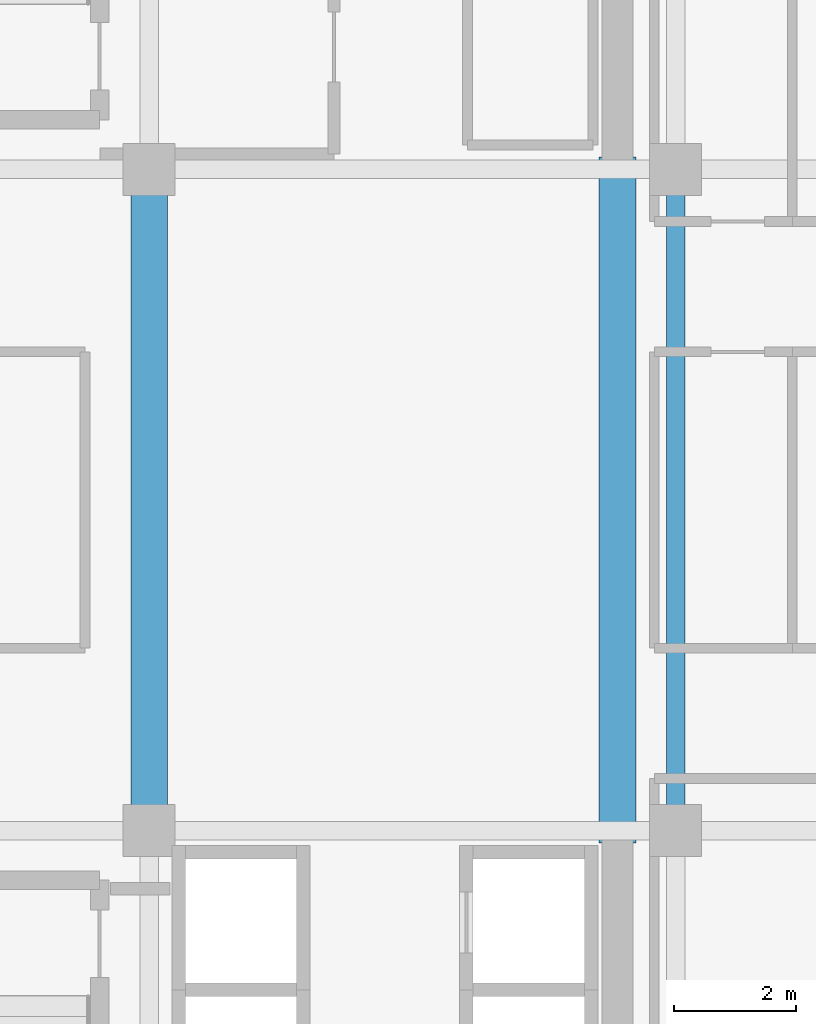
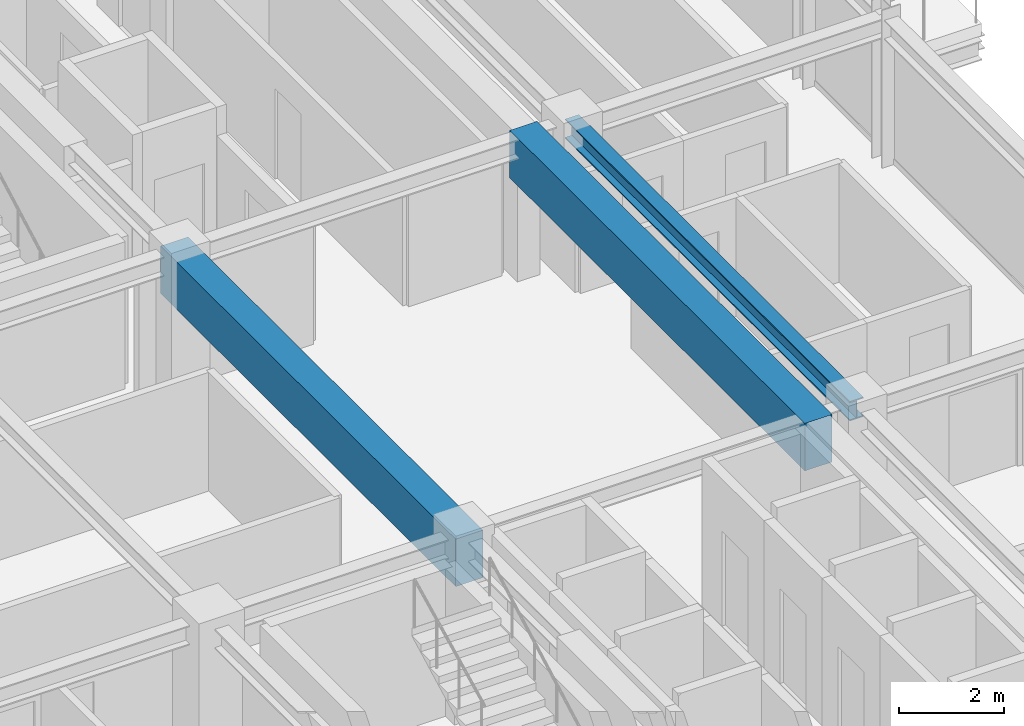
# One storey, part 16 of 34: 3 beams.
"""IFC4 building model written with IfcOpenShell, lengths in metres."""

import ifcopenshell
import ifcopenshell.guid

model = None  # the IFC model being written
_history = None  # IfcOwnerHistory: only IFC2X3 demands one
_inside = {}  # id of a spatial element -> (the spatial element, [elements in it])
_under = {}  # id of a project, library or spatial element -> (it, [spatial elements below it])
_declared = {}  # id of a project -> (the project, [libraries it declares])
_typed = {}  # id of a type object -> (the type object, [elements of that type])
_made_of = {}  # id of a material, layer set ... -> (it, [elements and type objects made of it])


def new_model(schema):
    """Start an empty IFC model of exactly this schema.

    Asked for "IFC4X3", IfcOpenShell would pick the latest addendum, in which some entities
    have other attributes; the version numbers below select the first issue.
    IFC2X3 requires an IfcOwnerHistory on every rooted entity: one is made here for all.
    """
    global model, _history
    if schema == "IFC4X3":
        model = ifcopenshell.file(schema_version=(4, 3, 0, 0))
    else:
        model = ifcopenshell.file(schema=schema)
    _inside.clear()
    _under.clear()
    _declared.clear()
    _typed.clear()
    _made_of.clear()
    _history = None
    if model.schema == "IFC2X3":
        org = make("IfcOrganization", Name="unknown")
        user = make(
            "IfcPersonAndOrganization",
            ThePerson=make("IfcPerson", FamilyName="unknown"),
            TheOrganization=org,
        )
        app = make(
            "IfcApplication",
            ApplicationDeveloper=org,
            Version="unknown",
            ApplicationFullName="unknown",
            ApplicationIdentifier="unknown",
        )
        _history = make(
            "IfcOwnerHistory",
            OwningUser=user,
            OwningApplication=app,
            ChangeAction="ADDED",
            CreationDate=0,
        )
    return model


def make(cls, **values):
    """One entity of the class cls with the attributes given. An attribute that is None is left unset."""
    return model.create_entity(
        cls, **{name: value for name, value in values.items() if value is not None}
    )


def rooted(cls, **values):
    """An entity with a GlobalId (a new one), such as an element, a storey or a relation."""
    return make(cls, GlobalId=ifcopenshell.guid.new(), OwnerHistory=_history, **values)


def si_unit(unit_type, name, prefix=None):
    """IfcSIUnit, for example si_unit("LENGTHUNIT", "METRE", prefix="MILLI")."""
    return make("IfcSIUnit", UnitType=unit_type, Prefix=prefix, Name=name)


def assignment(units):
    """IfcUnitAssignment: the units of a project."""
    return None if units is None else make("IfcUnitAssignment", Units=units)


def point(xyz):
    """IfcCartesianPoint."""
    return None if xyz is None else make("IfcCartesianPoint", Coordinates=xyz)


def direction(xyz):
    """IfcDirection."""
    return None if xyz is None else make("IfcDirection", DirectionRatios=xyz)


def frame(location, z_axis=None, x_axis=None):
    """IfcAxis2Placement3D, a coordinate frame: its origin and axes. An axis left out is left unset."""
    return make(
        "IfcAxis2Placement3D",
        Location=point(location),
        Axis=direction(z_axis),
        RefDirection=direction(x_axis),
    )


def frame_2d(location, x_axis=None):
    """IfcAxis2Placement2D, a coordinate frame in the plane: its origin and x axis."""
    return make(
        "IfcAxis2Placement2D", Location=point(location), RefDirection=direction(x_axis)
    )


def origin():
    """The frame at (0, 0, 0) with its axes left unset."""
    return frame((0.0, 0.0, 0.0))


def origin_2d():
    """The frame at (0, 0) in the plane with its x axis left unset."""
    return frame_2d((0.0, 0.0))


def place(relative_to, where):
    """IfcLocalPlacement: puts the frame where relative to a parent placement (None: the world)."""
    return make(
        "IfcLocalPlacement", PlacementRelTo=relative_to, RelativePlacement=where
    )


def context(
    kind, dimensions, precision=None, world=None, true_north=None, identifier=None
):
    """IfcGeometricRepresentationContext, for example the 3D "Model" context."""
    return make(
        "IfcGeometricRepresentationContext",
        ContextIdentifier=identifier,
        ContextType=kind,
        CoordinateSpaceDimension=dimensions,
        Precision=precision,
        WorldCoordinateSystem=world,
        TrueNorth=true_north,
    )


def subcontext(parent, identifier, kind, view, scale=None):
    """IfcGeometricRepresentationSubContext, for example "Body" below "Model"."""
    return make(
        "IfcGeometricRepresentationSubContext",
        ContextIdentifier=identifier,
        ContextType=kind,
        ParentContext=parent,
        TargetScale=scale,
        TargetView=view,
    )


def project(units=None, contexts=None):
    """IfcProject with its units and contexts."""
    return rooted(
        "IfcProject",
        Name="project",
        RepresentationContexts=contexts,
        UnitsInContext=assignment(units),
    )


def spatial(cls, under=None, at=None, **own):
    """A site, building, storey or space (cls), placed at a placement, below another one or the project."""
    s = rooted(cls, ObjectPlacement=at, **own)
    if under is not None:
        _under.setdefault(under.id(), (under, []))[1].append(s)
    return s


def profile(cls, at=None, kind="AREA", **sizes):
    """A parametric profile (cls). Its sizes go by their IFC names, for example OverallWidth=200.0."""
    return make(cls, ProfileType=kind, Position=at, **sizes)


def rectangle(**sizes):
    """IfcRectangleProfileDef."""
    return profile("IfcRectangleProfileDef", **sizes)


def i_section(**sizes):
    """IfcIShapeProfileDef."""
    return profile("IfcIShapeProfileDef", **sizes)


def extrude(swept, where, along, depth):
    """IfcExtrudedAreaSolid: the profile swept, set in the frame where, extruded along a direction by depth."""
    return make(
        "IfcExtrudedAreaSolid",
        SweptArea=swept,
        Position=where,
        ExtrudedDirection=direction(along),
        Depth=depth,
    )


def shape(context_of_items, identifier, shape_type, items):
    """IfcShapeRepresentation: the items that make up one representation, for example the "Body"."""
    return make(
        "IfcShapeRepresentation",
        ContextOfItems=context_of_items,
        RepresentationIdentifier=identifier,
        RepresentationType=shape_type,
        Items=items,
    )


def source(mapping_origin, context_of_items, identifier, shape_type, items):
    """IfcRepresentationMap: a shape defined once, which mapped items show again and again."""
    return make(
        "IfcRepresentationMap",
        MappingOrigin=mapping_origin,
        MappedRepresentation=shape(context_of_items, identifier, shape_type, items),
    )


def transform(
    local_origin,
    x_axis=None,
    y_axis=None,
    z_axis=None,
    scale=None,
    scale2=None,
    scale3=None,
    uniform=True,
):
    """IfcCartesianTransformationOperator3D, or its non-uniform kind. x_axis, y_axis, z_axis: its Axis1, 2, 3."""
    if uniform:
        return make(
            "IfcCartesianTransformationOperator3D",
            Axis1=direction(x_axis),
            Axis2=direction(y_axis),
            LocalOrigin=point(local_origin),
            Scale=scale,
            Axis3=direction(z_axis),
        )
    return make(
        "IfcCartesianTransformationOperator3DnonUniform",
        Axis1=direction(x_axis),
        Axis2=direction(y_axis),
        LocalOrigin=point(local_origin),
        Scale=scale,
        Axis3=direction(z_axis),
        Scale2=scale2,
        Scale3=scale3,
    )


def mapped(mapping_source, mapping_target):
    """IfcMappedItem: shows the shape of a source again, moved by a transform."""
    return make(
        "IfcMappedItem", MappingSource=mapping_source, MappingTarget=mapping_target
    )


def material(Name=None, Category=None):
    """IfcMaterial."""
    return make("IfcMaterial", Name=Name, Category=Category)


def material_profile(
    of_material, cross_section, Name=None, Category=None, Priority=None
):
    """IfcMaterialProfile: a cross section and its material."""
    return make(
        "IfcMaterialProfile",
        Name=Name,
        Material=of_material,
        Profile=cross_section,
        Priority=Priority,
        Category=Category,
    )


def profile_set(profiles, Name=None, composite=None):
    """IfcMaterialProfileSet."""
    return make(
        "IfcMaterialProfileSet",
        Name=Name,
        MaterialProfiles=profiles,
        CompositeProfile=composite,
    )


def made_of(thing, what):
    """Note that an element or type object is made of a material, layer set ...; save() writes the relation."""
    if what is not None:
        _made_of.setdefault(what.id(), (what, []))[1].append(thing)
    return thing


def type_object(cls, material=None, **own):
    """A type object (cls), such as IfcWallType, which elements share."""
    return made_of(rooted(cls, **own), material)


def element(
    cls,
    number,
    at=None,
    inside=None,
    cuts=None,
    type_object=None,
    material=None,
    context=None,
    identifier="Body",
    shape_type=None,
    held_by="IfcProductDefinitionShape",
    body=None,
    shapes=None,
    **own,
):
    """One element of the class cls, such as IfcWall. Its Tag is "e" and its number.

    at: its placement. inside: the storey or other place that contains it. cuts: it is an
    opening in that element (IfcRelVoidsElement). A single representation is given by context,
    identifier, shape_type and body (its items); several are given by shapes. held_by: the class
    of the entity that holds the representations. save() writes the other relations.
    """
    e = rooted(cls, Tag="e%d" % number, ObjectPlacement=at, **own)
    if body is not None:
        shapes = [shape(context, identifier, shape_type, body)]
    if shapes is not None:
        e.Representation = make(held_by, Representations=shapes)
    if inside is not None:
        _inside.setdefault(inside.id(), (inside, []))[1].append(e)
    if cuts is not None:
        rooted(
            "IfcRelVoidsElement", RelatingBuildingElement=cuts, RelatedOpeningElement=e
        )
    if type_object is not None:
        _typed.setdefault(type_object.id(), (type_object, []))[1].append(e)
    return made_of(e, material)


def aggregate(whole, parts):
    """IfcRelAggregates: a whole, such as a stair, and the parts it consists of."""
    return rooted("IfcRelAggregates", RelatingObject=whole, RelatedObjects=parts)


def save(model, path):
    """Write the relations noted so far, then the file.

    IfcRelAggregates (storeys below a building ...), IfcRelContainedInSpatialStructure (elements
    in a storey), IfcRelDefinesByType, IfcRelAssociatesMaterial and IfcRelDeclares: one each for
    every whole, place, type object, material and project.
    """
    for whole, parts in _under.values():
        aggregate(whole, parts)
    for where, things in _inside.values():
        rooted(
            "IfcRelContainedInSpatialStructure",
            RelatedElements=things,
            RelatingStructure=where,
        )
    for kind, things in _typed.values():
        rooted("IfcRelDefinesByType", RelatedObjects=things, RelatingType=kind)
    for what, things in _made_of.values():
        rooted("IfcRelAssociatesMaterial", RelatedObjects=things, RelatingMaterial=what)
    for by, libraries in _declared.values():
        rooted("IfcRelDeclares", RelatingContext=by, RelatedDefinitions=libraries)
    model.write(path)


model = new_model("IFC4")

# Units and contexts
model_context = context("Model", 3, precision=1e-05, world=origin(), true_north=direction((0.0, 1.0)))
body_context = subcontext(model_context, "Body", "Model", "MODEL_VIEW")
ifc_project = project(units=[si_unit("LENGTHUNIT", "METRE"), si_unit("AREAUNIT", "SQUARE_METRE"), si_unit("VOLUMEUNIT", "CUBIC_METRE"), si_unit("PLANEANGLEUNIT", "RADIAN"), si_unit("MASSUNIT", "GRAM", prefix="KILO")], contexts=[model_context])

# Site, building, storey
site_placement = place(None, origin())
site = spatial("IfcSite", under=ifc_project, at=site_placement, CompositionType="ELEMENT")
building_placement = place(site_placement, origin())
building = spatial("IfcBuilding", under=site, at=building_placement, Name="Nahalor Promenade Grand Hotel", CompositionType="ELEMENT")
storey_placement = place(building_placement, frame((0.0, 0.0, 238.199951171875)))
storey = spatial("IfcBuildingStorey", under=building, at=storey_placement, Name="L61", CompositionType="ELEMENT", Elevation=238.199951171875)

# Beams
ifc_material_1 = material(Name="Concrete B-60 (C50/60)", Category="concrete")
ifc_material_profile_1 = material_profile(ifc_material_1, rectangle(XDim=0.6, YDim=1.1, at=origin_2d()), Name="RC 600x1100")
ifc_profile_set_1 = profile_set([ifc_material_profile_1], Name="Concrete B-60 (C50/60)")
beam_type_1 = type_object("IfcBeamType", Name="Beam-Lintel-RC1100", PredefinedType="LINTEL", material=ifc_profile_set_1)
shared_shape_1 = source(origin(), body_context, "Body", "SweptSolid", [
    extrude(rectangle(XDim=0.6, YDim=1.1, at=origin_2d()), origin(), (0.0, 0.0, 1.0), 11.2001953125),
])
for number, where, z_axis, x_axis, name in (
    (1, (8.39990234375, -5.60009765625, 2.860107421875), (0.0, 1.0, 0.0), (-1.0, 0.0, 0.0), "BM-L61-LINT-W"),
    (2, (16.050048828125, -5.60009765625, 2.860107421875), (0.0, 1.0, 0.0), (-1.0, 0.0, 0.0), "BM-L61-LINT-E"),
):
    element("IfcBeam", number, at=place(storey_placement, frame(where, z_axis=z_axis, x_axis=x_axis)), inside=storey, type_object=beam_type_1, Name=name, PredefinedType="LINTEL", context=body_context, shape_type="MappedRepresentation", body=[
        mapped(shared_shape_1, transform((0.0, 0.0, 0.0), scale=1.0)),
    ])
ifc_material_2 = material(Name="Steel S355JR", Category="steel")
ifc_material_profile_2 = material_profile(ifc_material_2, i_section(OverallWidth=0.3, OverallDepth=0.45, WebThickness=0.014, FlangeThickness=0.026, at=origin_2d()), Name="HEB 450")
ifc_profile_set_2 = profile_set([ifc_material_profile_2], Name="Steel S355JR")
beam_type_2 = type_object("IfcBeamType", Name="Beam-Girder-HEB450", PredefinedType="BEAM", material=ifc_profile_set_2)
shared_shape_2 = source(origin(), body_context, "Body", "SweptSolid", [
    extrude(i_section(OverallWidth=0.3, OverallDepth=0.45, WebThickness=0.014, FlangeThickness=0.026, at=origin_2d()), origin(), (0.0, 0.0, 1.0), 10.7998046875),
])
beam_placement = place(storey_placement, frame((17.0, -5.39990234375, 3.18505859375), z_axis=(0.0, 1.0, 0.0), x_axis=(-1.0, 0.0, 0.0)))
element("IfcBeam", 3, at=beam_placement, inside=storey, type_object=beam_type_2, Name="BM-L61-GY-5-2", PredefinedType="BEAM", context=body_context, shape_type="MappedRepresentation", body=[
    mapped(shared_shape_2, transform((0.0, 0.0, 0.0), scale=1.0)),
])

save(model, "model.ifc")
